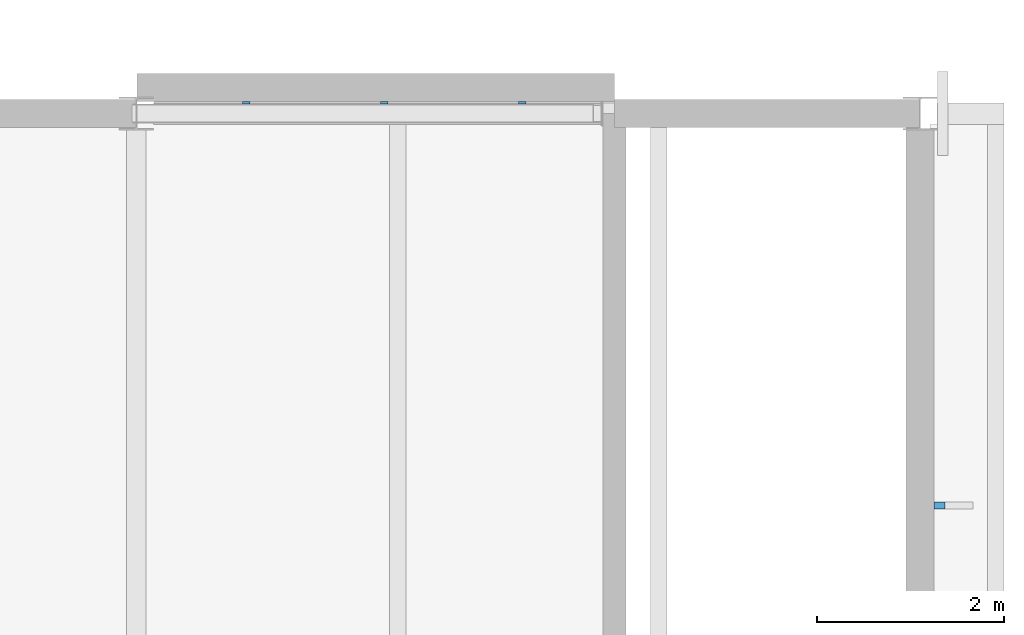
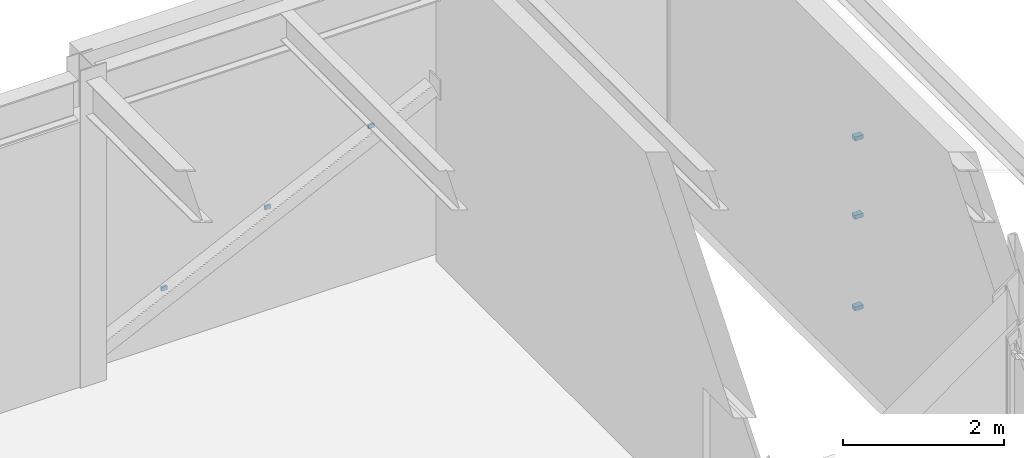
# One storey, part 98 of 116: 6 discrete accessories.
"""IFC4 building model written with IfcOpenShell, lengths in metres."""

from ifc_helpers import new_model, si_unit, direction, frame, origin, origin_2d, place, context, subcontext, project, spatial, rectangle, extrude, material, type_object, element, save


model = new_model("IFC4")

# Units and contexts
model_context = context("Model", 3, precision=1e-05, world=origin(), true_north=direction((0.0, 1.0)))
body_context = subcontext(model_context, "Body", "Model", "MODEL_VIEW")
ifc_project = project(units=[si_unit("LENGTHUNIT", "METRE"), si_unit("AREAUNIT", "SQUARE_METRE"), si_unit("VOLUMEUNIT", "CUBIC_METRE"), si_unit("PLANEANGLEUNIT", "RADIAN"), si_unit("MASSUNIT", "GRAM", prefix="KILO")], contexts=[model_context])

# Site, building, storey
site_placement = place(None, origin())
site = spatial("IfcSite", under=ifc_project, at=site_placement, CompositionType="ELEMENT")
building_placement = place(site_placement, origin())
building = spatial("IfcBuilding", under=site, at=building_placement, Name="Ljudholm Concert House", CompositionType="ELEMENT")
storey_placement = place(building_placement, frame((0.0, 0.0, 10.199951171875)))
storey = spatial("IfcBuildingStorey", under=building, at=storey_placement, Name="L02", CompositionType="ELEMENT", Elevation=10.199951171875)

# Discrete accessories
ifc_material_1 = material(Name="Stainless steel bracket", Category="steel")
discrete_accessory_type_1 = type_object("IfcDiscreteAccessoryType", Name="BRACKET 120", PredefinedType="BRACKET", material=ifc_material_1)
for number, where, z_axis, x_axis, name in (
    (1, (121.81005859375, 92.199951171875, 0.570068359375), (0.0, 0.0, 1.0), (1.0, 0.0, 0.0), "Fin bracket"),
    (2, (121.81005859375, 92.199951171875, 1.955078125), (0.0, 0.0, 1.0), (1.0, 0.0, 0.0), "Fin bracket"),
    (3, (121.81005859375, 92.199951171875, 3.14013671875), (0.0, 0.0, 1.0), (1.0, 0.0, 0.0), "Fin bracket"),
):
    element("IfcDiscreteAccessory", number, at=place(storey_placement, frame(where, z_axis=z_axis, x_axis=x_axis)), inside=storey, type_object=discrete_accessory_type_1, Name=name, PredefinedType="BRACKET", context=body_context, shape_type="SweptSolid", body=[
        extrude(rectangle(XDim=0.1201171875, YDim=0.080078125, at=origin_2d()), origin(), (0.0, 0.0, 1.0), 0.06005859375),
    ])
ifc_material_2 = material(Name="Stainless steel bracket", Category="steel")
discrete_accessory_type_2 = type_object("IfcDiscreteAccessoryType", Name="PANEL BRACKET EXTERNAL", PredefinedType="BRACKET", material=ifc_material_2)
for number, where, z_axis, x_axis, name in (
    (4, (114.376953125, 96.515625, 0.833251953125), (0.0, 0.0, 1.0), (0.0, 1.0, 0.0), "Panel bracket"),
    (5, (115.857421875, 96.515625, 1.541748046875), (0.0, 0.0, 1.0), (0.0, 1.0, 0.0), "Panel bracket"),
    (6, (117.337890625, 96.515625, 2.250244140625), (0.0, 0.0, 1.0), (0.0, 1.0, 0.0), "Panel bracket"),
):
    element("IfcDiscreteAccessory", number, at=place(storey_placement, frame(where, z_axis=z_axis, x_axis=x_axis)), inside=storey, type_object=discrete_accessory_type_2, Name=name, PredefinedType="BRACKET", context=body_context, shape_type="SweptSolid", body=[
        extrude(rectangle(XDim=0.028076171875, YDim=0.080078125, at=origin_2d()), origin(), (0.0, 0.0, 1.0), 0.06005859375),
    ])

save(model, "model.ifc")
